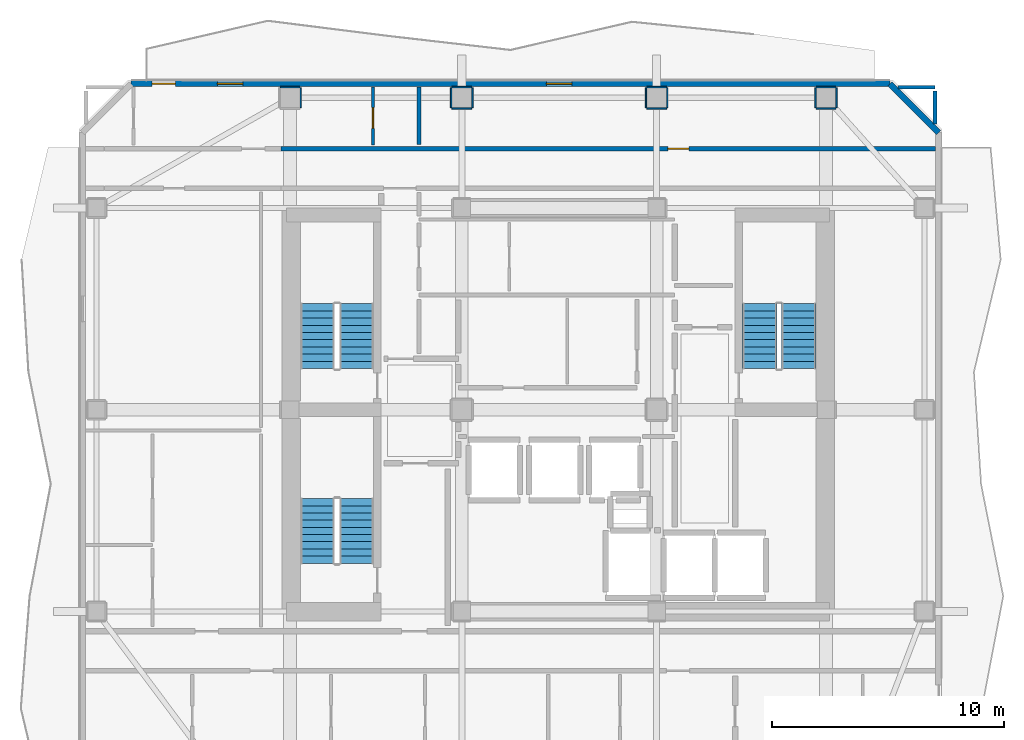
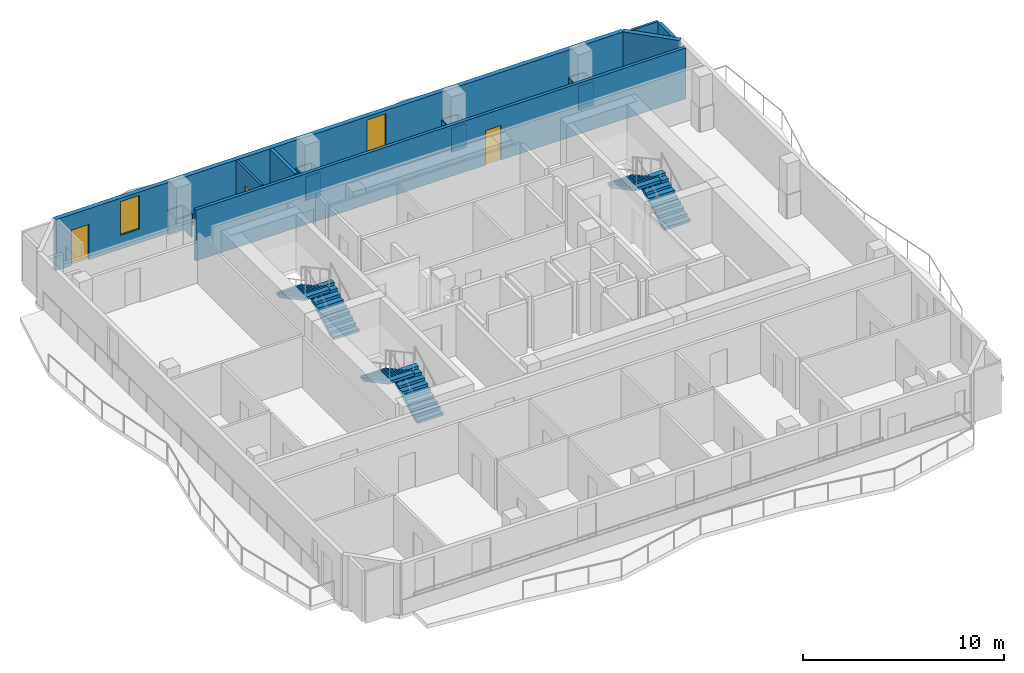
# One storey, part 6 of 10: 21 walls, 6 stair flights, 3 doors, 2 windows, 5 openings, 3 elements without a shape of their own.
"""IFC4 building model written with IfcOpenShell, lengths in metres."""

from ifc_helpers import new_model, si_unit, direction, frame, frame_2d, origin, place, context, subcontext, project, spatial, polyline, rectangle, outline, extrude, material, layer, layer_set, type_object, element, fill, aggregate, save


model = new_model("IFC4")

# Units and contexts
model_context = context("Model", 3, precision=1e-05, world=origin(), true_north=direction((0.0, 1.0)))
body_context = subcontext(model_context, "Body", "Model", "MODEL_VIEW")
ifc_project = project(units=[si_unit("LENGTHUNIT", "METRE"), si_unit("AREAUNIT", "SQUARE_METRE"), si_unit("VOLUMEUNIT", "CUBIC_METRE"), si_unit("PLANEANGLEUNIT", "RADIAN"), si_unit("MASSUNIT", "GRAM", prefix="KILO")], contexts=[model_context])

# Site, building, storey
site_placement = place(None, origin())
site = spatial("IfcSite", under=ifc_project, at=site_placement, CompositionType="ELEMENT")
building_placement = place(site_placement, origin())
building = spatial("IfcBuilding", under=site, at=building_placement, Name="Solanera Arch Residences", CompositionType="ELEMENT")
storey_placement = place(building_placement, frame((0.0, 0.0, 196.800048828125)))
storey = spatial("IfcBuildingStorey", under=building, at=storey_placement, Name="L57", CompositionType="ELEMENT", Elevation=196.800048828125)

# Walls
ifc_material_1 = material(Name="Fire-Rated Gypsum Stud Partition", Category="gypsum")
ifc_layer_1 = layer(ifc_material_1, 0.06005859375)
ifc_layer_set_1 = layer_set([ifc_layer_1], Name="Fire-Rated Gypsum Stud Partition")
wall_type_1 = type_object("IfcWallType", Name="Column Acoustic Furring Wall 60", PredefinedType="PARTITIONING", material=ifc_layer_set_1)
for number, where, z_axis, x_axis, name in (
    (1, (12.97509765625, 44.60693359375, 0.0), (0.0, 0.0, 1.0), (1.0, 0.0, 0.0), "L57 Column Furring 10N"),
    (2, (13.85693359375, 43.72509765625, 0.0), (0.0, 0.0, 1.0), (0.0, 1.0, 0.0), "L57 Column Furring 10E"),
):
    element("IfcWall", number, at=place(storey_placement, frame(where, z_axis=z_axis, x_axis=x_axis)), inside=storey, type_object=wall_type_1, Name=name, PredefinedType="PARTITIONING", context=body_context, shape_type="SweptSolid", body=[
        extrude(rectangle(XDim=0.849853515625, YDim=0.06005859375, at=frame_2d((0.4248046875, 0.0))), origin(), (0.0, 0.0, 1.0), 1.449951171875),
    ])
for number, where, z_axis, x_axis, name in (
    (3, (20.375, 43.693115234375, 0.0), (0.0, 0.0, 1.0), (1.0, 0.0, 0.0), "L57 Column Furring 12S"),
    (4, (20.375, 44.60693359375, 0.0), (0.0, 0.0, 1.0), (1.0, 0.0, 0.0), "L57 Column Furring 12N"),
):
    element("IfcWall", number, at=place(storey_placement, frame(where, z_axis=z_axis, x_axis=x_axis)), inside=storey, type_object=wall_type_1, Name=name, PredefinedType="PARTITIONING", context=body_context, shape_type="SweptSolid", body=[
        extrude(rectangle(XDim=0.85009765625, YDim=0.06005859375, at=frame_2d((0.425048828125, 0.0))), origin(), (0.0, 0.0, 1.0), 1.449951171875),
    ])
for number, where, z_axis, x_axis, name in (
    (5, (20.343017578125, 43.72509765625, 0.0), (0.0, 0.0, 1.0), (0.0, 1.0, 0.0), "L57 Column Furring 12W"),
    (6, (21.257080078125, 43.72509765625, 0.0), (0.0, 0.0, 1.0), (0.0, 1.0, 0.0), "L57 Column Furring 12E"),
):
    element("IfcWall", number, at=place(storey_placement, frame(where, z_axis=z_axis, x_axis=x_axis)), inside=storey, type_object=wall_type_1, Name=name, PredefinedType="PARTITIONING", context=body_context, shape_type="SweptSolid", body=[
        extrude(rectangle(XDim=0.849853515625, YDim=0.06005859375, at=frame_2d((0.4248046875, 0.0))), origin(), (0.0, 0.0, 1.0), 1.449951171875),
    ])
for number, where, z_axis, x_axis, name in (
    (7, (28.77490234375, 43.693115234375, 0.0), (0.0, 0.0, 1.0), (1.0, 0.0, 0.0), "L57 Column Furring 14S"),
    (8, (28.77490234375, 44.60693359375, 0.0), (0.0, 0.0, 1.0), (1.0, 0.0, 0.0), "L57 Column Furring 14N"),
):
    element("IfcWall", number, at=place(storey_placement, frame(where, z_axis=z_axis, x_axis=x_axis)), inside=storey, type_object=wall_type_1, Name=name, PredefinedType="PARTITIONING", context=body_context, shape_type="SweptSolid", body=[
        extrude(rectangle(XDim=0.85009765625, YDim=0.06005859375, at=frame_2d((0.425048828125, 0.0))), origin(), (0.0, 0.0, 1.0), 1.449951171875),
    ])
for number, where, z_axis, x_axis, name in (
    (9, (28.742919921875, 43.72509765625, 0.0), (0.0, 0.0, 1.0), (0.0, 1.0, 0.0), "L57 Column Furring 14W"),
    (10, (29.656982421875, 43.72509765625, 0.0), (0.0, 0.0, 1.0), (0.0, 1.0, 0.0), "L57 Column Furring 14E"),
):
    element("IfcWall", number, at=place(storey_placement, frame(where, z_axis=z_axis, x_axis=x_axis)), inside=storey, type_object=wall_type_1, Name=name, PredefinedType="PARTITIONING", context=body_context, shape_type="SweptSolid", body=[
        extrude(rectangle(XDim=0.849853515625, YDim=0.06005859375, at=frame_2d((0.4248046875, 0.0))), origin(), (0.0, 0.0, 1.0), 1.449951171875),
    ])
for number, where, z_axis, x_axis, name in (
    (11, (36.074951171875, 43.693115234375, 0.0), (0.0, 0.0, 1.0), (1.0, 0.0, 0.0), "L57 Column Furring 16S"),
    (12, (36.074951171875, 44.60693359375, 0.0), (0.0, 0.0, 1.0), (1.0, 0.0, 0.0), "L57 Column Furring 16N"),
):
    element("IfcWall", number, at=place(storey_placement, frame(where, z_axis=z_axis, x_axis=x_axis)), inside=storey, type_object=wall_type_1, Name=name, PredefinedType="PARTITIONING", context=body_context, shape_type="SweptSolid", body=[
        extrude(rectangle(XDim=0.85009765625, YDim=0.06005859375, at=frame_2d((0.425048828125, 0.0))), origin(), (0.0, 0.0, 1.0), 1.449951171875),
    ])
for number, where, z_axis, x_axis, name in (
    (13, (36.04296875, 43.72509765625, 0.0), (0.0, 0.0, 1.0), (0.0, 1.0, 0.0), "L57 Column Furring 16W"),
    (14, (36.95703125, 43.72509765625, 0.0), (0.0, 0.0, 1.0), (0.0, 1.0, 0.0), "L57 Column Furring 16E"),
):
    element("IfcWall", number, at=place(storey_placement, frame(where, z_axis=z_axis, x_axis=x_axis)), inside=storey, type_object=wall_type_1, Name=name, PredefinedType="PARTITIONING", context=body_context, shape_type="SweptSolid", body=[
        extrude(rectangle(XDim=0.849853515625, YDim=0.06005859375, at=frame_2d((0.4248046875, 0.0))), origin(), (0.0, 0.0, 1.0), 1.449951171875),
    ])

# Wall, opening, door
ifc_material_2 = material(Name="Autoclaved Aerated Concrete Blockwork", Category="masonry")
ifc_layer_2 = layer(ifc_material_2, 0.179931640625)
ifc_layer_set_2 = layer_set([ifc_layer_2], Name="Autoclaved Aerated Concrete Blockwork")
wall_type_2 = type_object("IfcWallType", Name="Corridor Fire Partition 180", PredefinedType="PARTITIONING", material=ifc_layer_set_2)
wall_1_placement = place(storey_placement, frame((13.011962890625, 41.949951171875, 0.0), z_axis=(0.0, 0.0, 1.0), x_axis=(1.0, 0.0, 0.0)))
wall_1 = element("IfcWall", 15, at=wall_1_placement, inside=storey, type_object=wall_type_2, Name="L57 Interior Partition H12 3", PredefinedType="PARTITIONING", context=body_context, shape_type="SweptSolid", body=[
    extrude(rectangle(XDim=28.200927734375, YDim=0.179931640625, at=frame_2d((14.1005859375, 0.0))), origin(), (0.0, 0.0, 1.0), 3.099853515625),
])
opening_1_placement = place(wall_1_placement, frame((16.674072265625, 0.0, 0.0)))
opening_1 = element("IfcOpeningElement", 16, at=opening_1_placement, cuts=wall_1, Name="Opening DI-02", PredefinedType="OPENING", context=body_context, shape_type="SweptSolid", body=[
    extrude(rectangle(XDim=0.89990234375, YDim=2.10009765625, at=frame_2d((0.449951171875, 1.050048828125))), frame((0.0, 0.10009765625, 0.0), z_axis=(0.0, -1.0, 0.0), x_axis=(1.0, 0.0, 0.0)), (0.0, 0.0, 1.0), 0.1999),
])
ifc_material_3 = material(Name="Fire-Rated Architectural Hardwood", Category="wood")
door_type_1 = type_object("IfcDoorType", Name="Suite Room Swing Door DI-02", OperationType="NOTDEFINED", PredefinedType="DOOR", material=ifc_material_3)
door_1_placement = place(opening_1_placement, origin())
door_1 = element("IfcDoor", 17, at=door_1_placement, inside=storey, type_object=door_type_1, Name="DR-L57-IN-031", OperationType="SINGLE_SWING_RIGHT", OverallHeight=2.10009765625, OverallWidth=0.89990234375, PredefinedType="DOOR", context=body_context, shape_type="SweptSolid", body=[
    extrude(rectangle(XDim=0.89990234375, YDim=2.10009765625, at=frame_2d((0.449951171875, 1.050048828125))), frame((0.0, 0.02490234375, 0.0), z_axis=(0.0, -1.0, 0.0), x_axis=(1.0, 0.0, 0.0)), (0.0, 0.0, 1.0), 0.050048828125),
])
fill(opening_1, door_1)

# Walls
wall_2_placement = place(storey_placement, frame((18.949951171875, 42.137939453125, 0.0), z_axis=(0.0, 0.0, 1.0), x_axis=(0.0, 1.0, 0.0)))
element("IfcWall", 18, at=wall_2_placement, inside=storey, type_object=wall_type_2, Name="L57 Interior Partition V9", PredefinedType="PARTITIONING", context=body_context, shape_type="SweptSolid", body=[
    extrude(rectangle(XDim=2.47509765625, YDim=0.179931640625, at=frame_2d((1.237548828125, 0.0))), origin(), (0.0, 0.0, 1.0), 3.099853515625),
])
wall_3_placement = place(storey_placement, frame((41.199951171875, 43.010986328125, 0.0), z_axis=(0.0, 0.0, 1.0), x_axis=(0.0, 1.0, 0.0)))
element("IfcWall", 19, at=wall_3_placement, inside=storey, type_object=wall_type_2, Name="L57 Interior Partition V12", PredefinedType="PARTITIONING", context=body_context, shape_type="SweptSolid", body=[
    extrude(rectangle(XDim=1.4208984375, YDim=0.179931640625, at=frame_2d((0.71044921875, 0.0))), origin(), (0.0, 0.0, 1.0), 3.099853515625),
])

# Wall, openings, door, windows
ifc_material_4 = material(Name="Precast Concrete C35/45", Category="concrete")
ifc_layer_3 = layer(ifc_material_4, 0.260009765625)
ifc_layer_set_3 = layer_set([ifc_layer_3], Name="Precast Concrete C35/45")
wall_type_3 = type_object("IfcWallType", Name="Exterior Wall Precast Masonry-Frame 260", PredefinedType="STANDARD", material=ifc_layer_set_3)
wall_4_placement = place(storey_placement, frame((6.544921875, 44.7548828125, 0.0), z_axis=(0.0, 0.0, 1.0), x_axis=(1.0, 0.0, 0.0)))
wall_4 = element("IfcWall", 20, at=wall_4_placement, inside=storey, type_object=wall_type_3, Name="L57 Tower Exterior Precast Masonry-Frame Wall N", PredefinedType="STANDARD", context=body_context, shape_type="SweptSolid", body=[
    extrude(rectangle(XDim=32.7099609375, YDim=0.260009765625, at=frame_2d((16.35498046875, 0.0))), origin(), (0.0, 0.0, 1.0), 3.099853515625),
])
opening_2_placement = place(wall_4_placement, frame((0.906982421875, 0.0, 0.0)))
opening_2 = element("IfcOpeningElement", 21, at=opening_2_placement, cuts=wall_4, Name="Opening DB-01", PredefinedType="OPENING", context=body_context, shape_type="SweptSolid", body=[
    extrude(rectangle(XDim=1.0, YDim=2.14990234375, at=frame_2d((0.5, 1.074951171875))), frame((0.0, 0.139892578125, 0.0), z_axis=(0.0, -1.0, 0.0), x_axis=(1.0, 0.0, 0.0)), (0.0, 0.0, 1.0), 0.28),
])
opening_3_placement = place(wall_4_placement, frame((3.718017578125, 0.0, 0.85009765625)))
opening_3 = element("IfcOpeningElement", 22, at=opening_3_placement, cuts=wall_4, Name="Opening W-11", PredefinedType="OPENING", context=body_context, shape_type="SweptSolid", body=[
    extrude(rectangle(XDim=1.10009765625, YDim=2.050048828125, at=frame_2d((0.550048828125, 1.02490234375))), frame((0.0, 0.139892578125, 0.0), z_axis=(0.0, -1.0, 0.0), x_axis=(1.0, 0.0, 0.0)), (0.0, 0.0, 1.0), 0.28),
])
opening_4_placement = place(wall_4_placement, frame((17.905029296875, 0.0, 0.85009765625)))
opening_4 = element("IfcOpeningElement", 23, at=opening_4_placement, cuts=wall_4, Name="Opening W-11", PredefinedType="OPENING", context=body_context, shape_type="SweptSolid", body=[
    extrude(rectangle(XDim=1.10009765625, YDim=2.050048828125, at=frame_2d((0.550048828125, 1.02490234375))), frame((0.0, 0.139892578125, 0.0), z_axis=(0.0, -1.0, 0.0), x_axis=(1.0, 0.0, 0.0)), (0.0, 0.0, 1.0), 0.28),
])
ifc_material_5 = material(Name="Anodised Aluminium Alloy 6063-T6", Category="aluminium")
door_type_2 = type_object("IfcDoorType", Name="Glazed Balcony Swing Door DB-01", OperationType="NOTDEFINED", PredefinedType="DOOR", material=ifc_material_5)
door_2_placement = place(opening_2_placement, origin())
door_2 = element("IfcDoor", 24, at=door_2_placement, inside=storey, type_object=door_type_2, Name="DR-L57-OUT-02", OperationType="SINGLE_SWING_RIGHT", OverallHeight=2.14990234375, OverallWidth=1.0, PredefinedType="DOOR", context=body_context, shape_type="SweptSolid", body=[
    extrude(rectangle(XDim=1.0, YDim=2.14990234375, at=frame_2d((0.5, 1.074951171875))), frame((0.0, 0.02490234375, 0.0), z_axis=(0.0, -1.0, 0.0), x_axis=(1.0, 0.0, 0.0)), (0.0, 0.0, 1.0), 0.050048828125),
])
fill(opening_2, door_2)
ifc_material_6 = material(Name="Double Glazed Low-E Laminated Glass", Category="glass")
window_type = type_object("IfcWindowType", Name="Punched Window W-11", PartitioningType="SINGLE_PANEL", PredefinedType="WINDOW", material=ifc_material_6)
window_1_placement = place(opening_3_placement, origin())
window_1 = element("IfcWindow", 25, at=window_1_placement, inside=storey, type_object=window_type, Name="L57 5703-LIV Punched Window", OverallHeight=2.050048828125, OverallWidth=1.10009765625, PartitioningType="SINGLE_PANEL", PredefinedType="WINDOW", context=body_context, shape_type="SweptSolid", body=[
    extrude(rectangle(XDim=1.10009765625, YDim=2.050048828125, at=frame_2d((0.550048828125, 1.02490234375))), frame((0.0, 0.030029296875, 0.0), z_axis=(0.0, -1.0, 0.0), x_axis=(1.0, 0.0, 0.0)), (0.0, 0.0, 1.0), 0.06005859375),
])
fill(opening_3, window_1)
window_2_placement = place(opening_4_placement, origin())
window_2 = element("IfcWindow", 26, at=window_2_placement, inside=storey, type_object=window_type, Name="L57 AMN-LIB Punched Window", OverallHeight=2.050048828125, OverallWidth=1.10009765625, PartitioningType="SINGLE_PANEL", PredefinedType="WINDOW", context=body_context, shape_type="SweptSolid", body=[
    extrude(rectangle(XDim=1.10009765625, YDim=2.050048828125, at=frame_2d((0.550048828125, 1.02490234375))), frame((0.0, 0.030029296875, 0.0), z_axis=(0.0, -1.0, 0.0), x_axis=(1.0, 0.0, 0.0)), (0.0, 0.0, 1.0), 0.06005859375),
])
fill(opening_4, window_2)

# Wall
wall_5_placement = place(storey_placement, frame((39.2548828125, 44.7548828125, 0.0), z_axis=(0.0, 0.0, 1.0), x_axis=(0.707147883682, -0.707065676302, 0.0)))
element("IfcWall", 27, at=wall_5_placement, inside=storey, type_object=wall_type_3, Name="L57 Tower Exterior Precast Masonry-Frame Wall CH3", PredefinedType="STANDARD", context=body_context, shape_type="SweptSolid", body=[
    extrude(rectangle(XDim=2.9697265625, YDim=0.260009765625, at=frame_2d((1.48486328125, 0.0))), origin(), (0.0, 0.0, 1.0), 3.099853515625),
])

# Wall, opening, door
ifc_material_7 = material(Name="Fire-Rated Gypsum Stud Partition", Category="gypsum")
ifc_layer_4 = layer(ifc_material_7, 0.1201171875)
ifc_layer_set_4 = layer_set([ifc_layer_4], Name="Fire-Rated Gypsum Stud Partition")
wall_type_4 = type_object("IfcWallType", Name="Unit Drywall Partition 120", PredefinedType="PARTITIONING", material=ifc_layer_set_4)
wall_6_placement = place(storey_placement, frame((16.969970703125, 42.10791015625, 0.0), z_axis=(0.0, 0.0, 1.0), x_axis=(0.0, 1.0, 0.0)))
wall_6 = element("IfcWall", 28, at=wall_6_placement, inside=storey, type_object=wall_type_4, Name="L57 Interior Partition V20", PredefinedType="PARTITIONING", context=body_context, shape_type="SweptSolid", body=[
    extrude(rectangle(XDim=2.505126953125, YDim=0.1201171875, at=frame_2d((1.25244140625, 0.0))), origin(), (0.0, 0.0, 1.0), 3.099853515625),
])
opening_5_placement = place(wall_6_placement, frame((0.717041015625, 0.0, 0.0)))
opening_5 = element("IfcOpeningElement", 29, at=opening_5_placement, cuts=wall_6, Name="Opening DI-02", PredefinedType="OPENING", context=body_context, shape_type="SweptSolid", body=[
    extrude(rectangle(XDim=0.89990234375, YDim=2.10009765625, at=frame_2d((0.449951171875, 1.050048828125))), frame((0.0, 0.070068359375, 0.0), z_axis=(0.0, -1.0, 0.0), x_axis=(1.0, 0.0, 0.0)), (0.0, 0.0, 1.0), 0.1401),
])
door_3_placement = place(opening_5_placement, origin())
door_3 = element("IfcDoor", 30, at=door_3_placement, inside=storey, type_object=door_type_1, Name="DR-L57-IN-030", OperationType="SINGLE_SWING_LEFT", OverallHeight=2.10009765625, OverallWidth=0.89990234375, PredefinedType="DOOR", context=body_context, shape_type="SweptSolid", body=[
    extrude(rectangle(XDim=0.89990234375, YDim=2.10009765625, at=frame_2d((0.449951171875, 1.050048828125))), frame((0.0, 0.02490234375, 0.0), z_axis=(0.0, -1.0, 0.0), x_axis=(1.0, 0.0, 0.0)), (0.0, 0.0, 1.0), 0.050048828125),
])
fill(opening_5, door_3)

# Wall
ifc_material_8 = material(Name="Autoclaved Aerated Concrete Blockwork", Category="masonry")
ifc_layer_5 = layer(ifc_material_8, 0.139892578125)
ifc_layer_set_5 = layer_set([ifc_layer_5], Name="Autoclaved Aerated Concrete Blockwork")
wall_type_5 = type_object("IfcWallType", Name="Wet-Room Partition 140", PredefinedType="PARTITIONING", material=ifc_layer_set_5)
wall_7_placement = place(storey_placement, frame((39.611083984375, 44.60009765625, 0.0), z_axis=(0.0, 0.0, 1.0), x_axis=(1.0, 0.0, 0.0)))
element("IfcWall", 31, at=wall_7_placement, inside=storey, type_object=wall_type_5, Name="L57 Interior Partition H18 2", PredefinedType="PARTITIONING", context=body_context, shape_type="SweptSolid", body=[
    extrude(rectangle(XDim=1.5888671875, YDim=0.139892578125, at=frame_2d((0.79443359375, 0.0))), origin(), (0.0, 0.0, 1.0), 3.099853515625),
])

# Stair, stair flights
ifc_material_9 = material(Name="Concrete C40/50 (f'c = 45 MPa)", Category="concrete")
stair_type = type_object("IfcStairType", Name="Tower Dogleg Exit Stair 1480", PredefinedType="HALF_TURN_STAIR", material=ifc_material_9)
stair_1_placement = place(storey_placement, origin())
stair_1 = element("IfcStair", 32, at=stair_1_placement, inside=storey, type_object=stair_type, Name="L57 Tower Core Exit Stair 1", PredefinedType="HALF_TURN_STAIR")
ifc_material_10 = material(Name="Concrete C40/50 (f'c = 45 MPa)", Category="concrete")
stair_flight_type = type_object("IfcStairFlightType", Name="Tower Precast Stair Flight 1480", PredefinedType="STRAIGHT", material=ifc_material_10)
stair_flight_1_placement = place(storey_placement, frame((16.260009765625, 32.47998046875, 0.0), z_axis=(0.0, 0.0, 1.0), x_axis=(0.0, 1.0, 0.0)))
stair_flight_1 = element("IfcStairFlight", 33, at=stair_flight_1_placement, type_object=stair_flight_type, Name="ST-T1 flight 1", NumberOfRisers=10, NumberOfTreads=9, PredefinedType="STRAIGHT", RiserHeight=0.166, TreadLength=0.31, context=body_context, shape_type="SweptSolid", body=[
    extrude(outline(polyline([(0.0, 0.0), (0.0, 0.166015625), (0.31005859375, 0.166015625), (0.31005859375, 0.33203125), (0.6201171875, 0.33203125), (0.6201171875, 0.498046875), (0.929931640625, 0.498046875), (0.929931640625, 0.6640625), (1.239990234375, 0.6640625), (1.239990234375, 0.830078125), (1.550048828125, 0.830078125), (1.550048828125, 0.99609375), (1.860107421875, 0.99609375), (1.860107421875, 1.162109375), (2.169921875, 1.162109375), (2.169921875, 1.327880859375), (2.47998046875, 1.327880859375), (2.47998046875, 1.493896484375), (2.7900390625, 1.493896484375), (2.7900390625, 1.659912109375), (2.7900390625, 1.323974609375), (0.317626953125, 0.0), (0.0, 0.0)])), frame((0.0, 0.739990234375, 0.0), z_axis=(0.0, -1.0, 0.0), x_axis=(1.0, 0.0, 0.0)), (0.0, 0.0, 1.0), 1.47998046875),
])
stair_flight_2_placement = place(storey_placement, frame((14.580078125, 35.27001953125, 1.659912109375), z_axis=(0.0, 0.0, 1.0), x_axis=(0.0, -1.0, 0.0)))
stair_flight_2 = element("IfcStairFlight", 34, at=stair_flight_2_placement, type_object=stair_flight_type, Name="ST-T1 flight 2", NumberOfRisers=10, NumberOfTreads=9, PredefinedType="STRAIGHT", RiserHeight=0.166, TreadLength=0.31, context=body_context, shape_type="SweptSolid", body=[
    extrude(outline(polyline([(0.0, 0.0), (0.0, 0.166015625), (0.31005859375, 0.166015625), (0.31005859375, 0.33203125), (0.6201171875, 0.33203125), (0.6201171875, 0.498046875), (0.929931640625, 0.498046875), (0.929931640625, 0.6640625), (1.239990234375, 0.6640625), (1.239990234375, 0.830078125), (1.550048828125, 0.830078125), (1.550048828125, 0.99609375), (1.860107421875, 0.99609375), (1.860107421875, 1.162109375), (2.169921875, 1.162109375), (2.169921875, 1.327880859375), (2.47998046875, 1.327880859375), (2.47998046875, 1.493896484375), (2.7900390625, 1.493896484375), (2.7900390625, 1.659912109375), (2.7900390625, 1.323974609375), (0.317626953125, 0.0), (0.0, 0.0)])), frame((0.0, 0.739990234375, 0.0), z_axis=(0.0, -1.0, 0.0), x_axis=(1.0, 0.0, 0.0)), (0.0, 0.0, 1.0), 1.47998046875),
])
aggregate(stair_1, [stair_flight_1, stair_flight_2])

stair_2_placement = place(storey_placement, origin())
stair_2 = element("IfcStair", 35, at=stair_2_placement, inside=storey, type_object=stair_type, Name="L57 Tower Core Exit Stair 2", PredefinedType="HALF_TURN_STAIR")
stair_flight_3_placement = place(storey_placement, frame((35.320068359375, 32.47998046875, 0.0), z_axis=(0.0, 0.0, 1.0), x_axis=(0.0, 1.0, 0.0)))
stair_flight_3 = element("IfcStairFlight", 36, at=stair_flight_3_placement, type_object=stair_flight_type, Name="ST-T2 flight 1", NumberOfRisers=10, NumberOfTreads=9, PredefinedType="STRAIGHT", RiserHeight=0.166, TreadLength=0.31, context=body_context, shape_type="SweptSolid", body=[
    extrude(outline(polyline([(0.0, 0.0), (0.0, 0.166015625), (0.31005859375, 0.166015625), (0.31005859375, 0.33203125), (0.6201171875, 0.33203125), (0.6201171875, 0.498046875), (0.929931640625, 0.498046875), (0.929931640625, 0.6640625), (1.239990234375, 0.6640625), (1.239990234375, 0.830078125), (1.550048828125, 0.830078125), (1.550048828125, 0.99609375), (1.860107421875, 0.99609375), (1.860107421875, 1.162109375), (2.169921875, 1.162109375), (2.169921875, 1.327880859375), (2.47998046875, 1.327880859375), (2.47998046875, 1.493896484375), (2.7900390625, 1.493896484375), (2.7900390625, 1.659912109375), (2.7900390625, 1.323974609375), (0.317626953125, 0.0), (0.0, 0.0)])), frame((0.0, 0.739990234375, 0.0), z_axis=(0.0, -1.0, 0.0), x_axis=(1.0, 0.0, 0.0)), (0.0, 0.0, 1.0), 1.47998046875),
])
stair_flight_4_placement = place(storey_placement, frame((33.639892578125, 35.27001953125, 1.659912109375), z_axis=(0.0, 0.0, 1.0), x_axis=(0.0, -1.0, 0.0)))
stair_flight_4 = element("IfcStairFlight", 37, at=stair_flight_4_placement, type_object=stair_flight_type, Name="ST-T2 flight 2", NumberOfRisers=10, NumberOfTreads=9, PredefinedType="STRAIGHT", RiserHeight=0.166, TreadLength=0.31, context=body_context, shape_type="SweptSolid", body=[
    extrude(outline(polyline([(0.0, 0.0), (0.0, 0.166015625), (0.31005859375, 0.166015625), (0.31005859375, 0.33203125), (0.6201171875, 0.33203125), (0.6201171875, 0.498046875), (0.929931640625, 0.498046875), (0.929931640625, 0.6640625), (1.239990234375, 0.6640625), (1.239990234375, 0.830078125), (1.550048828125, 0.830078125), (1.550048828125, 0.99609375), (1.860107421875, 0.99609375), (1.860107421875, 1.162109375), (2.169921875, 1.162109375), (2.169921875, 1.327880859375), (2.47998046875, 1.327880859375), (2.47998046875, 1.493896484375), (2.7900390625, 1.493896484375), (2.7900390625, 1.659912109375), (2.7900390625, 1.323974609375), (0.317626953125, 0.0), (0.0, 0.0)])), frame((0.0, 0.739990234375, 0.0), z_axis=(0.0, -1.0, 0.0), x_axis=(1.0, 0.0, 0.0)), (0.0, 0.0, 1.0), 1.47998046875),
])
aggregate(stair_2, [stair_flight_3, stair_flight_4])

stair_3_placement = place(storey_placement, origin())
stair_3 = element("IfcStair", 38, at=stair_3_placement, inside=storey, type_object=stair_type, Name="L57 Tower Core Exit Stair 3", PredefinedType="HALF_TURN_STAIR")
stair_flight_5_placement = place(storey_placement, frame((16.260009765625, 24.080078125, 0.0), z_axis=(0.0, 0.0, 1.0), x_axis=(0.0, 1.0, 0.0)))
stair_flight_5 = element("IfcStairFlight", 39, at=stair_flight_5_placement, type_object=stair_flight_type, Name="ST-T3 flight 1", NumberOfRisers=10, NumberOfTreads=9, PredefinedType="STRAIGHT", RiserHeight=0.166, TreadLength=0.31, context=body_context, shape_type="SweptSolid", body=[
    extrude(outline(polyline([(0.0, 0.0), (0.0, 0.166015625), (0.31005859375, 0.166015625), (0.31005859375, 0.33203125), (0.6201171875, 0.33203125), (0.6201171875, 0.498046875), (0.929931640625, 0.498046875), (0.929931640625, 0.6640625), (1.239990234375, 0.6640625), (1.239990234375, 0.830078125), (1.550048828125, 0.830078125), (1.550048828125, 0.99609375), (1.860107421875, 0.99609375), (1.860107421875, 1.162109375), (2.169921875, 1.162109375), (2.169921875, 1.327880859375), (2.47998046875, 1.327880859375), (2.47998046875, 1.493896484375), (2.7900390625, 1.493896484375), (2.7900390625, 1.659912109375), (2.7900390625, 1.323974609375), (0.317626953125, 0.0), (0.0, 0.0)])), frame((0.0, 0.739990234375, 0.0), z_axis=(0.0, -1.0, 0.0), x_axis=(1.0, 0.0, 0.0)), (0.0, 0.0, 1.0), 1.47998046875),
])
stair_flight_6_placement = place(storey_placement, frame((14.580078125, 26.8701171875, 1.659912109375), z_axis=(0.0, 0.0, 1.0), x_axis=(0.0, -1.0, 0.0)))
stair_flight_6 = element("IfcStairFlight", 40, at=stair_flight_6_placement, type_object=stair_flight_type, Name="ST-T3 flight 2", NumberOfRisers=10, NumberOfTreads=9, PredefinedType="STRAIGHT", RiserHeight=0.166, TreadLength=0.31, context=body_context, shape_type="SweptSolid", body=[
    extrude(outline(polyline([(0.0, 0.0), (0.0, 0.166015625), (0.31005859375, 0.166015625), (0.31005859375, 0.33203125), (0.6201171875, 0.33203125), (0.6201171875, 0.498046875), (0.929931640625, 0.498046875), (0.929931640625, 0.6640625), (1.239990234375, 0.6640625), (1.239990234375, 0.830078125), (1.550048828125, 0.830078125), (1.550048828125, 0.99609375), (1.860107421875, 0.99609375), (1.860107421875, 1.162109375), (2.169921875, 1.162109375), (2.169921875, 1.327880859375), (2.47998046875, 1.327880859375), (2.47998046875, 1.493896484375), (2.7900390625, 1.493896484375), (2.7900390625, 1.659912109375), (2.7900390625, 1.323974609375), (0.317626953125, 0.0), (0.0, 0.0)])), frame((0.0, 0.739990234375, 0.0), z_axis=(0.0, -1.0, 0.0), x_axis=(1.0, 0.0, 0.0)), (0.0, 0.0, 1.0), 1.47998046875),
])
aggregate(stair_3, [stair_flight_5, stair_flight_6])

save(model, "model.ifc")
